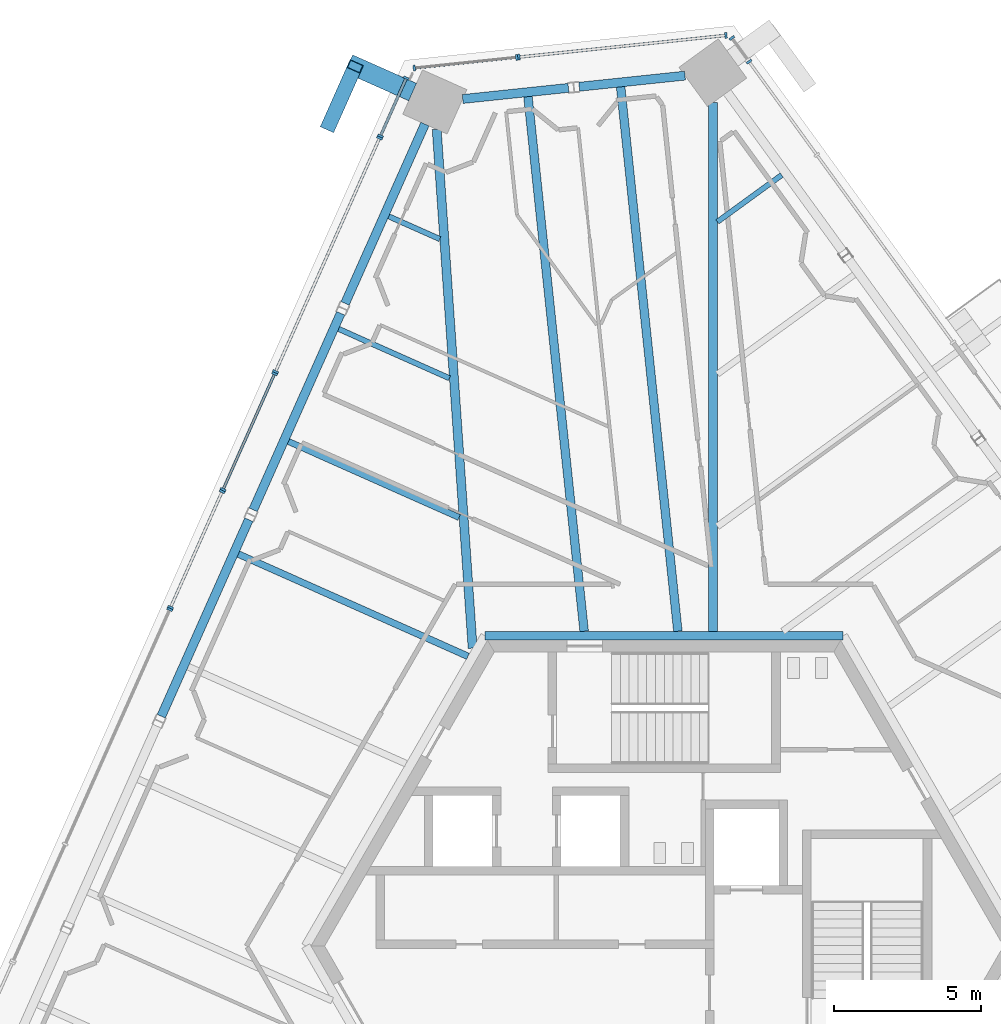
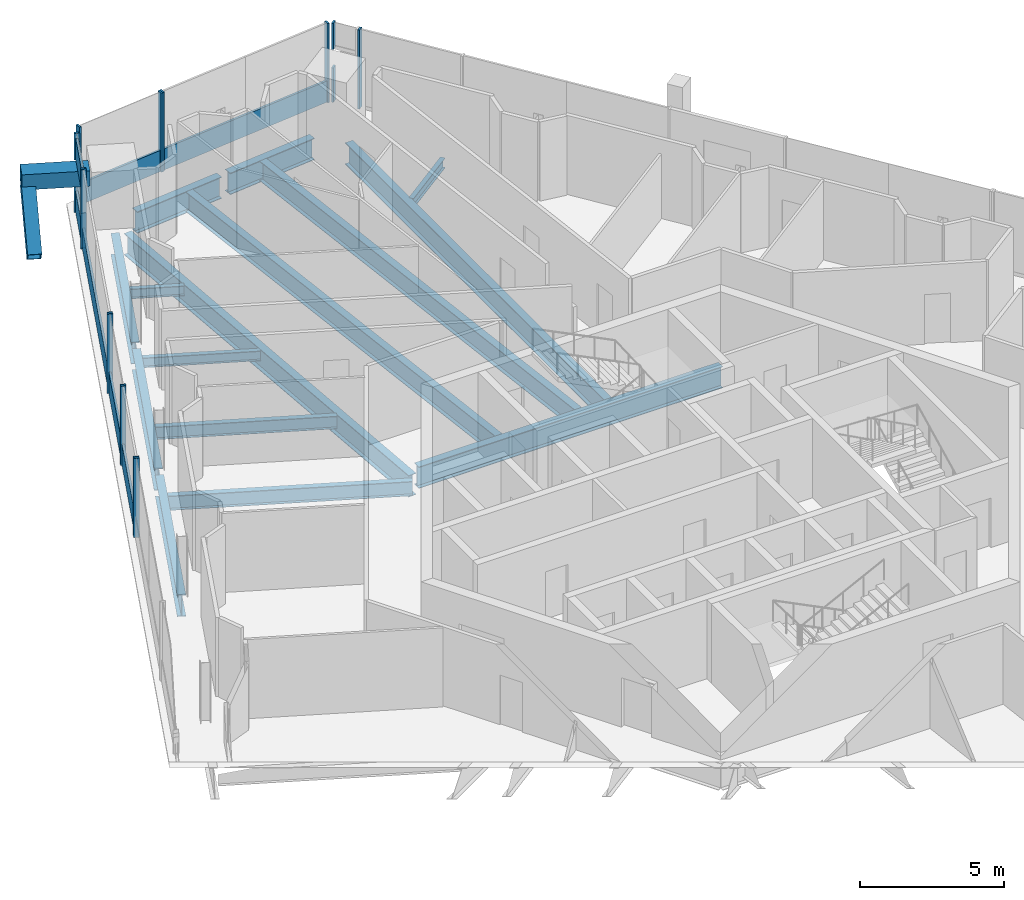
# One storey, part 9 of 26: 27 members, 15 beams, 11 elements without a shape of their own.
"""IFC4 building model written with IfcOpenShell, lengths in metres."""

import ifcopenshell
import ifcopenshell.guid

model = None  # the IFC model being written
_history = None  # IfcOwnerHistory: only IFC2X3 demands one
_inside = {}  # id of a spatial element -> (the spatial element, [elements in it])
_under = {}  # id of a project, library or spatial element -> (it, [spatial elements below it])
_declared = {}  # id of a project -> (the project, [libraries it declares])
_typed = {}  # id of a type object -> (the type object, [elements of that type])
_made_of = {}  # id of a material, layer set ... -> (it, [elements and type objects made of it])


def new_model(schema):
    """Start an empty IFC model of exactly this schema.

    Asked for "IFC4X3", IfcOpenShell would pick the latest addendum, in which some entities
    have other attributes; the version numbers below select the first issue.
    IFC2X3 requires an IfcOwnerHistory on every rooted entity: one is made here for all.
    """
    global model, _history
    if schema == "IFC4X3":
        model = ifcopenshell.file(schema_version=(4, 3, 0, 0))
    else:
        model = ifcopenshell.file(schema=schema)
    _inside.clear()
    _under.clear()
    _declared.clear()
    _typed.clear()
    _made_of.clear()
    _history = None
    if model.schema == "IFC2X3":
        org = make("IfcOrganization", Name="unknown")
        user = make(
            "IfcPersonAndOrganization",
            ThePerson=make("IfcPerson", FamilyName="unknown"),
            TheOrganization=org,
        )
        app = make(
            "IfcApplication",
            ApplicationDeveloper=org,
            Version="unknown",
            ApplicationFullName="unknown",
            ApplicationIdentifier="unknown",
        )
        _history = make(
            "IfcOwnerHistory",
            OwningUser=user,
            OwningApplication=app,
            ChangeAction="ADDED",
            CreationDate=0,
        )
    return model


def make(cls, **values):
    """One entity of the class cls with the attributes given. An attribute that is None is left unset."""
    return model.create_entity(
        cls, **{name: value for name, value in values.items() if value is not None}
    )


def rooted(cls, **values):
    """An entity with a GlobalId (a new one), such as an element, a storey or a relation."""
    return make(cls, GlobalId=ifcopenshell.guid.new(), OwnerHistory=_history, **values)


def si_unit(unit_type, name, prefix=None):
    """IfcSIUnit, for example si_unit("LENGTHUNIT", "METRE", prefix="MILLI")."""
    return make("IfcSIUnit", UnitType=unit_type, Prefix=prefix, Name=name)


def assignment(units):
    """IfcUnitAssignment: the units of a project."""
    return None if units is None else make("IfcUnitAssignment", Units=units)


def point(xyz):
    """IfcCartesianPoint."""
    return None if xyz is None else make("IfcCartesianPoint", Coordinates=xyz)


def direction(xyz):
    """IfcDirection."""
    return None if xyz is None else make("IfcDirection", DirectionRatios=xyz)


def frame(location, z_axis=None, x_axis=None):
    """IfcAxis2Placement3D, a coordinate frame: its origin and axes. An axis left out is left unset."""
    return make(
        "IfcAxis2Placement3D",
        Location=point(location),
        Axis=direction(z_axis),
        RefDirection=direction(x_axis),
    )


def frame_2d(location, x_axis=None):
    """IfcAxis2Placement2D, a coordinate frame in the plane: its origin and x axis."""
    return make(
        "IfcAxis2Placement2D", Location=point(location), RefDirection=direction(x_axis)
    )


def origin():
    """The frame at (0, 0, 0) with its axes left unset."""
    return frame((0.0, 0.0, 0.0))


def origin_2d():
    """The frame at (0, 0) in the plane with its x axis left unset."""
    return frame_2d((0.0, 0.0))


def place(relative_to, where):
    """IfcLocalPlacement: puts the frame where relative to a parent placement (None: the world)."""
    return make(
        "IfcLocalPlacement", PlacementRelTo=relative_to, RelativePlacement=where
    )


def context(
    kind, dimensions, precision=None, world=None, true_north=None, identifier=None
):
    """IfcGeometricRepresentationContext, for example the 3D "Model" context."""
    return make(
        "IfcGeometricRepresentationContext",
        ContextIdentifier=identifier,
        ContextType=kind,
        CoordinateSpaceDimension=dimensions,
        Precision=precision,
        WorldCoordinateSystem=world,
        TrueNorth=true_north,
    )


def subcontext(parent, identifier, kind, view, scale=None):
    """IfcGeometricRepresentationSubContext, for example "Body" below "Model"."""
    return make(
        "IfcGeometricRepresentationSubContext",
        ContextIdentifier=identifier,
        ContextType=kind,
        ParentContext=parent,
        TargetScale=scale,
        TargetView=view,
    )


def project(units=None, contexts=None):
    """IfcProject with its units and contexts."""
    return rooted(
        "IfcProject",
        Name="project",
        RepresentationContexts=contexts,
        UnitsInContext=assignment(units),
    )


def spatial(cls, under=None, at=None, **own):
    """A site, building, storey or space (cls), placed at a placement, below another one or the project."""
    s = rooted(cls, ObjectPlacement=at, **own)
    if under is not None:
        _under.setdefault(under.id(), (under, []))[1].append(s)
    return s


def profile(cls, at=None, kind="AREA", **sizes):
    """A parametric profile (cls). Its sizes go by their IFC names, for example OverallWidth=200.0."""
    return make(cls, ProfileType=kind, Position=at, **sizes)


def rectangle(**sizes):
    """IfcRectangleProfileDef."""
    return profile("IfcRectangleProfileDef", **sizes)


def hollow_rectangle(**sizes):
    """IfcRectangleHollowProfileDef."""
    return profile("IfcRectangleHollowProfileDef", **sizes)


def i_section(**sizes):
    """IfcIShapeProfileDef."""
    return profile("IfcIShapeProfileDef", **sizes)


def extrude(swept, where, along, depth):
    """IfcExtrudedAreaSolid: the profile swept, set in the frame where, extruded along a direction by depth."""
    return make(
        "IfcExtrudedAreaSolid",
        SweptArea=swept,
        Position=where,
        ExtrudedDirection=direction(along),
        Depth=depth,
    )


def shape(context_of_items, identifier, shape_type, items):
    """IfcShapeRepresentation: the items that make up one representation, for example the "Body"."""
    return make(
        "IfcShapeRepresentation",
        ContextOfItems=context_of_items,
        RepresentationIdentifier=identifier,
        RepresentationType=shape_type,
        Items=items,
    )


def source(mapping_origin, context_of_items, identifier, shape_type, items):
    """IfcRepresentationMap: a shape defined once, which mapped items show again and again."""
    return make(
        "IfcRepresentationMap",
        MappingOrigin=mapping_origin,
        MappedRepresentation=shape(context_of_items, identifier, shape_type, items),
    )


def transform(
    local_origin,
    x_axis=None,
    y_axis=None,
    z_axis=None,
    scale=None,
    scale2=None,
    scale3=None,
    uniform=True,
):
    """IfcCartesianTransformationOperator3D, or its non-uniform kind. x_axis, y_axis, z_axis: its Axis1, 2, 3."""
    if uniform:
        return make(
            "IfcCartesianTransformationOperator3D",
            Axis1=direction(x_axis),
            Axis2=direction(y_axis),
            LocalOrigin=point(local_origin),
            Scale=scale,
            Axis3=direction(z_axis),
        )
    return make(
        "IfcCartesianTransformationOperator3DnonUniform",
        Axis1=direction(x_axis),
        Axis2=direction(y_axis),
        LocalOrigin=point(local_origin),
        Scale=scale,
        Axis3=direction(z_axis),
        Scale2=scale2,
        Scale3=scale3,
    )


def mapped(mapping_source, mapping_target):
    """IfcMappedItem: shows the shape of a source again, moved by a transform."""
    return make(
        "IfcMappedItem", MappingSource=mapping_source, MappingTarget=mapping_target
    )


def material(Name=None, Category=None):
    """IfcMaterial."""
    return make("IfcMaterial", Name=Name, Category=Category)


def material_profile(
    of_material, cross_section, Name=None, Category=None, Priority=None
):
    """IfcMaterialProfile: a cross section and its material."""
    return make(
        "IfcMaterialProfile",
        Name=Name,
        Material=of_material,
        Profile=cross_section,
        Priority=Priority,
        Category=Category,
    )


def profile_set(profiles, Name=None, composite=None):
    """IfcMaterialProfileSet."""
    return make(
        "IfcMaterialProfileSet",
        Name=Name,
        MaterialProfiles=profiles,
        CompositeProfile=composite,
    )


def made_of(thing, what):
    """Note that an element or type object is made of a material, layer set ...; save() writes the relation."""
    if what is not None:
        _made_of.setdefault(what.id(), (what, []))[1].append(thing)
    return thing


def type_object(cls, material=None, **own):
    """A type object (cls), such as IfcWallType, which elements share."""
    return made_of(rooted(cls, **own), material)


def element(
    cls,
    number,
    at=None,
    inside=None,
    cuts=None,
    type_object=None,
    material=None,
    context=None,
    identifier="Body",
    shape_type=None,
    held_by="IfcProductDefinitionShape",
    body=None,
    shapes=None,
    **own,
):
    """One element of the class cls, such as IfcWall. Its Tag is "e" and its number.

    at: its placement. inside: the storey or other place that contains it. cuts: it is an
    opening in that element (IfcRelVoidsElement). A single representation is given by context,
    identifier, shape_type and body (its items); several are given by shapes. held_by: the class
    of the entity that holds the representations. save() writes the other relations.
    """
    e = rooted(cls, Tag="e%d" % number, ObjectPlacement=at, **own)
    if body is not None:
        shapes = [shape(context, identifier, shape_type, body)]
    if shapes is not None:
        e.Representation = make(held_by, Representations=shapes)
    if inside is not None:
        _inside.setdefault(inside.id(), (inside, []))[1].append(e)
    if cuts is not None:
        rooted(
            "IfcRelVoidsElement", RelatingBuildingElement=cuts, RelatedOpeningElement=e
        )
    if type_object is not None:
        _typed.setdefault(type_object.id(), (type_object, []))[1].append(e)
    return made_of(e, material)


def aggregate(whole, parts):
    """IfcRelAggregates: a whole, such as a stair, and the parts it consists of."""
    return rooted("IfcRelAggregates", RelatingObject=whole, RelatedObjects=parts)


def save(model, path):
    """Write the relations noted so far, then the file.

    IfcRelAggregates (storeys below a building ...), IfcRelContainedInSpatialStructure (elements
    in a storey), IfcRelDefinesByType, IfcRelAssociatesMaterial and IfcRelDeclares: one each for
    every whole, place, type object, material and project.
    """
    for whole, parts in _under.values():
        aggregate(whole, parts)
    for where, things in _inside.values():
        rooted(
            "IfcRelContainedInSpatialStructure",
            RelatedElements=things,
            RelatingStructure=where,
        )
    for kind, things in _typed.values():
        rooted("IfcRelDefinesByType", RelatedObjects=things, RelatingType=kind)
    for what, things in _made_of.values():
        rooted("IfcRelAssociatesMaterial", RelatedObjects=things, RelatingMaterial=what)
    for by, libraries in _declared.values():
        rooted("IfcRelDeclares", RelatingContext=by, RelatedDefinitions=libraries)
    model.write(path)


model = new_model("IFC4")

# Units and contexts
model_context = context("Model", 3, precision=1e-05, world=origin(), true_north=direction((0.0, 1.0)))
body_context = subcontext(model_context, "Body", "Model", "MODEL_VIEW")
ifc_project = project(units=[si_unit("LENGTHUNIT", "METRE"), si_unit("AREAUNIT", "SQUARE_METRE"), si_unit("VOLUMEUNIT", "CUBIC_METRE"), si_unit("PLANEANGLEUNIT", "RADIAN"), si_unit("MASSUNIT", "GRAM", prefix="KILO")], contexts=[model_context])

# Site, building, storey
site_placement = place(None, origin())
site = spatial("IfcSite", under=ifc_project, at=site_placement, CompositionType="ELEMENT")
building_placement = place(site_placement, origin())
building = spatial("IfcBuilding", under=site, at=building_placement, Name="Triune Harvest Tower", CompositionType="ELEMENT")
storey_placement = place(building_placement, frame((0.0, 0.0, 252.10009765625)))
storey = spatial("IfcBuildingStorey", under=building, at=storey_placement, Name="L66", CompositionType="ELEMENT", Elevation=252.10009765625)

# Curtain wall, member
ifc_material_1 = material(Name="Aluminium bronze anodised", Category="aluminium")
curtain_wall_type_1 = type_object("IfcCurtainWallType", Name="CW-7 Tower stick curtain wall with insulated spandrel infill", PredefinedType="NOTDEFINED", material=ifc_material_1)
curtain_wall_1_placement = place(storey_placement, origin())
curtain_wall_1 = element("IfcCurtainWall", 1, at=curtain_wall_1_placement, inside=storey, type_object=curtain_wall_type_1, Name="CW-7 B6-F3 L66 run 201")
ifc_material_2 = material(Name="Aluminium bronze anodised", Category="aluminium")
ifc_material_profile_1 = material_profile(ifc_material_2, rectangle(XDim=0.090087890625, YDim=0.89990234375, at=origin_2d()), Name="TR-1 transom 90 x 900")
ifc_profile_set_1 = profile_set([ifc_material_profile_1], Name="Aluminium bronze anodised")
member_type_1 = type_object("IfcMemberType", Name="TR-1 transom 90 x 900", PredefinedType="USERDEFINED", material=ifc_profile_set_1)
member_1_placement = place(storey_placement, frame((-9.68505859375, 27.427490234375, 0.449951171875), z_axis=(-0.406724455545, -0.913550883783, 0.0), x_axis=(0.913550883783, -0.406724455545, 0.0)))
member_1 = element("IfcMember", 2, at=member_1_placement, type_object=member_type_1, Name="CW-7 transom B6-F3 201.1", ObjectType="TRANSOM", PredefinedType="USERDEFINED", context=body_context, shape_type="SweptSolid", body=[
    extrude(rectangle(XDim=0.090087890625, YDim=0.89990234375, at=origin_2d()), origin(), (0.0, 0.0, 1.0), 8.619140625),
])

ifc_material_3 = material(Name="Aluminium bronze anodised", Category="aluminium")
curtain_wall_type_2 = type_object("IfcCurtainWallType", Name="CW-1 Tower stick curtain wall", PredefinedType="NOTDEFINED", material=ifc_material_3)
curtain_wall_2_placement = place(storey_placement, origin())
curtain_wall_2 = element("IfcCurtainWall", 3, at=curtain_wall_2_placement, inside=storey, type_object=curtain_wall_type_2, Name="CW-1 B6-F3 L66 run 1201")
member_2_placement = place(storey_placement, frame((-13.251708984375, 19.41650390625, 0.449951171875), z_axis=(-0.40675355508, -0.913537927746, 0.0), x_axis=(0.913537927746, -0.40675355508, 0.0)))
member_2 = element("IfcMember", 4, at=member_2_placement, type_object=member_type_1, Name="CW-1 transom B6-F3 1201.1", ObjectType="TRANSOM", PredefinedType="USERDEFINED", context=body_context, shape_type="SweptSolid", body=[
    extrude(rectangle(XDim=0.090087890625, YDim=0.89990234375, at=origin_2d()), origin(), (0.0, 0.0, 1.0), 4.234619140625),
])

curtain_wall_3_placement = place(storey_placement, origin())
curtain_wall_3 = element("IfcCurtainWall", 5, at=curtain_wall_3_placement, inside=storey, type_object=curtain_wall_type_1, Name="CW-7 B6-F3 L66 run 2201")
member_3_placement = place(storey_placement, frame((-15.03515625, 15.410888671875, 0.449951171875), z_axis=(-0.406774979688, -0.913528388119, 0.0), x_axis=(0.913528388119, -0.406774979688, 0.0)))
member_3 = element("IfcMember", 6, at=member_3_placement, type_object=member_type_1, Name="CW-7 transom B6-F3 2201.1", ObjectType="TRANSOM", PredefinedType="USERDEFINED", context=body_context, shape_type="SweptSolid", body=[
    extrude(rectangle(XDim=0.090087890625, YDim=0.89990234375, at=origin_2d()), origin(), (0.0, 0.0, 1.0), 4.234375),
])

# Beams
ifc_material_4 = material(Name="Steel ASTM A992 Gr 50", Category="steel")
ifc_material_profile_2 = material_profile(ifc_material_4, i_section(OverallWidth=0.3046875, OverallDepth=0.914306640625, WebThickness=0.0166015625, FlangeThickness=0.02587890625, at=origin_2d()), Name="W36x160")
ifc_profile_set_2 = profile_set([ifc_material_profile_2], Name="Steel ASTM A992 Gr 50")
beam_type_1 = type_object("IfcBeamType", Name="CG-1 Core ring girder W36x160", PredefinedType="BEAM", material=ifc_profile_set_2)
shared_shape_1 = source(origin(), body_context, "Body", "SweptSolid", [
    extrude(i_section(OverallWidth=0.3046875, OverallDepth=0.914306640625, WebThickness=0.0166015625, FlangeThickness=0.02587890625, at=origin_2d()), origin(), (0.0, 0.0, 1.0), 12.17578125),
])
beam_1_placement = place(storey_placement, frame((6.087890625, 10.544677734375, -0.6171875), z_axis=(-1.0, 0.0, 0.0), x_axis=(0.0, -1.0, 0.0)))
element("IfcBeam", 7, at=beam_1_placement, inside=storey, type_object=beam_type_1, Name="beam/L66/CG2", PredefinedType="BEAM", context=body_context, shape_type="MappedRepresentation", body=[
    mapped(shared_shape_1, transform((0.0, 0.0, 0.0), scale=1.0)),
])
ifc_material_5 = material(Name="Steel ASTM A992 Gr 50", Category="steel")
ifc_material_profile_3 = material_profile(ifc_material_5, i_section(OverallWidth=0.3046875, OverallDepth=0.914306640625, WebThickness=0.0166015625, FlangeThickness=0.02587890625, at=origin_2d()), Name="W36x160")
ifc_profile_set_3 = profile_set([ifc_material_profile_3], Name="Steel ASTM A992 Gr 50")
beam_type_2 = type_object("IfcBeamType", Name="SB-1 Spandrel beam W36x160", PredefinedType="SPANDREL", material=ifc_profile_set_3)
shared_shape_2 = source(origin(), body_context, "Body", "SweptSolid", [
    extrude(i_section(OverallWidth=0.3046875, OverallDepth=0.914306640625, WebThickness=0.0166015625, FlangeThickness=0.02587890625, at=origin_2d()), origin(), (0.0, 0.0, 1.0), 7.31103515625),
])
beam_2_placement = place(storey_placement, frame((-14.114990234375, 14.489013671875, -0.6171875), z_axis=(-0.406761135511, -0.913534552514, 0.0), x_axis=(0.913534552514, -0.406761135511, 0.0)))
element("IfcBeam", 8, at=beam_2_placement, inside=storey, type_object=beam_type_2, Name="beam/L66/SB11", PredefinedType="SPANDREL", context=body_context, shape_type="MappedRepresentation", body=[
    mapped(shared_shape_2, transform((0.0, 0.0, 0.0), scale=1.0)),
])
shared_shape_3 = source(origin(), body_context, "Body", "SweptSolid", [
    extrude(i_section(OverallWidth=0.3046875, OverallDepth=0.914306640625, WebThickness=0.0166015625, FlangeThickness=0.02587890625, at=origin_2d()), origin(), (0.0, 0.0, 1.0), 3.614990234375),
])
for number, where, z_axis, x_axis, name in (
    (9, (0.710693359375, 29.58203125, -0.6171875), (-0.994520245169, -0.104544162673, 0.0), (0.104544162673, -0.994520245169, 0.0), "beam/L66/SB7"),
    (10, (-3.25048828125, 29.165771484375, -0.6171875), (-0.994520245169, -0.104544162673, 0.0), (0.104544162673, -0.994520245169, 0.0), "beam/L66/SB8"),
):
    element("IfcBeam", number, at=place(storey_placement, frame(where, z_axis=z_axis, x_axis=x_axis)), inside=storey, type_object=beam_type_2, Name=name, PredefinedType="SPANDREL", context=body_context, shape_type="MappedRepresentation", body=[
        mapped(shared_shape_3, transform((0.0, 0.0, 0.0), scale=1.0)),
    ])
shared_shape_4 = source(origin(), body_context, "Body", "SweptSolid", [
    extrude(i_section(OverallWidth=0.3046875, OverallDepth=0.914306640625, WebThickness=0.0166015625, FlangeThickness=0.02587890625, at=origin_2d()), origin(), (0.0, 0.0, 1.0), 6.670166015625),
])
beam_3_placement = place(storey_placement, frame((-8.128662109375, 27.9345703125, -0.6171875), z_axis=(-0.406753053854, -0.913538150917, 0.0), x_axis=(0.913538150917, -0.406753053854, 0.0)))
element("IfcBeam", 11, at=beam_3_placement, inside=storey, type_object=beam_type_2, Name="beam/L66/SB9", PredefinedType="SPANDREL", context=body_context, shape_type="MappedRepresentation", body=[
    mapped(shared_shape_4, transform((0.0, 0.0, 0.0), scale=1.0)),
])
shared_shape_5 = source(origin(), body_context, "Body", "SweptSolid", [
    extrude(i_section(OverallWidth=0.3046875, OverallDepth=0.914306640625, WebThickness=0.0166015625, FlangeThickness=0.02587890625, at=origin_2d()), origin(), (0.0, 0.0, 1.0), 7.311279296875),
])
beam_4_placement = place(storey_placement, frame((-10.991455078125, 21.504638671875, -0.6171875), z_axis=(-0.406720859208, -0.91355248491, 0.0), x_axis=(0.91355248491, -0.406720859208, 0.0)))
element("IfcBeam", 12, at=beam_4_placement, inside=storey, type_object=beam_type_2, Name="beam/L66/SB10", PredefinedType="SPANDREL", context=body_context, shape_type="MappedRepresentation", body=[
    mapped(shared_shape_5, transform((0.0, 0.0, 0.0), scale=1.0)),
])
ifc_material_6 = material(Name="Steel ASTM A992 Gr 50", Category="steel")
ifc_material_profile_4 = material_profile(ifc_material_6, i_section(OverallWidth=0.3046875, OverallDepth=0.914306640625, WebThickness=0.0166015625, FlangeThickness=0.02587890625, at=origin_2d()), Name="W36x160")
ifc_profile_set_4 = profile_set([ifc_material_profile_4], Name="Steel ASTM A992 Gr 50")
beam_type_3 = type_object("IfcBeamType", Name="HG-3 Hip girder W36x160", PredefinedType="BEAM", material=ifc_profile_set_4)
shared_shape_6 = source(origin(), body_context, "Body", "SweptSolid", [
    extrude(i_section(OverallWidth=0.3046875, OverallDepth=0.914306640625, WebThickness=0.0166015625, FlangeThickness=0.02587890625, at=origin_2d()), origin(), (0.0, 0.0, 1.0), 17.96484375),
])
beam_5_placement = place(storey_placement, frame((1.658203125, 28.661865234375, -0.6171875), z_axis=(0.0, -1.0, 0.0), x_axis=(1.0, 0.0, 0.0)))
element("IfcBeam", 13, at=beam_5_placement, inside=storey, type_object=beam_type_3, Name="beam/L66/HG3", PredefinedType="BEAM", context=body_context, shape_type="MappedRepresentation", body=[
    mapped(shared_shape_6, transform((0.0, 0.0, 0.0), scale=1.0)),
])
shared_shape_7 = source(origin(), body_context, "Body", "SweptSolid", [
    extrude(i_section(OverallWidth=0.3046875, OverallDepth=0.914306640625, WebThickness=0.0166015625, FlangeThickness=0.02587890625, at=origin_2d()), origin(), (0.0, 0.0, 1.0), 17.6748046875),
])
beam_6_placement = place(storey_placement, frame((-7.728515625, 27.756591796875, -0.6171875), z_axis=(0.069119702871, -0.997608373399, 0.0), x_axis=(0.997608373399, 0.069119702871, 0.0)))
element("IfcBeam", 14, at=beam_6_placement, inside=storey, type_object=beam_type_3, Name="beam/L66/HG4", PredefinedType="BEAM", context=body_context, shape_type="MappedRepresentation", body=[
    mapped(shared_shape_7, transform((0.0, 0.0, 0.0), scale=1.0)),
])
ifc_material_7 = material(Name="Steel ASTM A992 Gr 50", Category="steel")
ifc_material_profile_5 = material_profile(ifc_material_7, i_section(OverallWidth=0.2099609375, OverallDepth=0.535888671875, WebThickness=0.010986328125, FlangeThickness=0.017333984375, at=origin_2d()), Name="W21x68")
ifc_profile_set_5 = profile_set([ifc_material_profile_5], Name="Steel ASTM A992 Gr 50")
beam_type_4 = type_object("IfcBeamType", Name="JT-2 Floor joist W21x68", PredefinedType="JOIST", material=ifc_profile_set_5)
shared_shape_8 = source(origin(), body_context, "Body", "SweptSolid", [
    extrude(i_section(OverallWidth=0.2099609375, OverallDepth=0.535888671875, WebThickness=0.010986328125, FlangeThickness=0.017333984375, at=origin_2d()), origin(), (0.0, 0.0, 1.0), 6.346435546875),
])
beam_7_placement = place(storey_placement, frame((-12.76513671875, 17.146484375, -0.427978515625), z_axis=(0.913549614508, -0.406727306476, 0.0), x_axis=(0.406727306476, 0.913549614508, 0.0)))
element("IfcBeam", 15, at=beam_7_placement, inside=storey, type_object=beam_type_4, Name="beam/L66/JT15", PredefinedType="JOIST", context=body_context, shape_type="MappedRepresentation", body=[
    mapped(shared_shape_8, transform((0.0, 0.0, 0.0), scale=1.0)),
])
ifc_material_8 = material(Name="Steel ASTM A992 Gr 50", Category="steel")
ifc_material_profile_6 = material_profile(ifc_material_8, i_section(OverallWidth=0.180908203125, OverallDepth=0.41650390625, WebThickness=0.010986328125, FlangeThickness=0.01806640625, at=origin_2d()), Name="W16x57")
ifc_profile_set_6 = profile_set([ifc_material_profile_6], Name="Steel ASTM A992 Gr 50")
beam_type_5 = type_object("IfcBeamType", Name="JT-1 Floor joist W16x57", PredefinedType="JOIST", material=ifc_profile_set_6)
shared_shape_9 = source(origin(), body_context, "Body", "SweptSolid", [
    extrude(i_section(OverallWidth=0.180908203125, OverallDepth=0.41650390625, WebThickness=0.010986328125, FlangeThickness=0.01806640625, at=origin_2d()), origin(), (0.0, 0.0, 1.0), 2.70263671875),
])
beam_8_placement = place(storey_placement, frame((3.9970703125, 26.203369140625, -0.368408203125), z_axis=(-0.809013338029, -0.587790284788, 0.0), x_axis=(0.587790284788, -0.809013338029, 0.0)))
element("IfcBeam", 16, at=beam_8_placement, inside=storey, type_object=beam_type_5, Name="beam/L66/JT10", PredefinedType="JOIST", context=body_context, shape_type="MappedRepresentation", body=[
    mapped(shared_shape_9, transform((0.0, 0.0, 0.0), scale=1.0)),
])
ifc_material_9 = material(Name="Steel ASTM A992 Gr 50", Category="steel")
ifc_material_profile_7 = material_profile(ifc_material_9, i_section(OverallWidth=0.2919921875, OverallDepth=0.8408203125, WebThickness=0.0146484375, FlangeThickness=0.021728515625, at=origin_2d()), Name="W33x130")
ifc_profile_set_7 = profile_set([ifc_material_profile_7], Name="Steel ASTM A992 Gr 50")
beam_type_6 = type_object("IfcBeamType", Name="JT-6 Floor joist W33x130", PredefinedType="JOIST", material=ifc_profile_set_7)
shared_shape_10 = source(origin(), body_context, "Body", "SweptSolid", [
    extrude(i_section(OverallWidth=0.2919921875, OverallDepth=0.8408203125, WebThickness=0.0146484375, FlangeThickness=0.021728515625, at=origin_2d()), origin(), (0.0, 0.0, 1.0), 18.60400390625),
])
beam_9_placement = place(storey_placement, frame((-1.476318359375, 29.198974609375, -0.58056640625), z_axis=(0.104538595675, -0.994520830357, 0.0), x_axis=(0.994520830357, 0.104538595675, 0.0)))
element("IfcBeam", 17, at=beam_9_placement, inside=storey, type_object=beam_type_6, Name="beam/L66/JT11", PredefinedType="JOIST", context=body_context, shape_type="MappedRepresentation", body=[
    mapped(shared_shape_10, transform((0.0, 0.0, 0.0), scale=1.0)),
])
shared_shape_11 = source(origin(), body_context, "Body", "SweptSolid", [
    extrude(i_section(OverallWidth=0.2919921875, OverallDepth=0.8408203125, WebThickness=0.0146484375, FlangeThickness=0.021728515625, at=origin_2d()), origin(), (0.0, 0.0, 1.0), 18.27099609375),
])
beam_10_placement = place(storey_placement, frame((-4.626708984375, 28.867919921875, -0.58056640625), z_axis=(0.104532454263, -0.99452147589, 0.0), x_axis=(0.99452147589, 0.104532454263, 0.0)))
element("IfcBeam", 18, at=beam_10_placement, inside=storey, type_object=beam_type_6, Name="beam/L66/JT12", PredefinedType="JOIST", context=body_context, shape_type="MappedRepresentation", body=[
    mapped(shared_shape_11, transform((0.0, 0.0, 0.0), scale=1.0)),
])
shared_shape_12 = source(origin(), body_context, "Body", "SweptSolid", [
    extrude(i_section(OverallWidth=0.180908203125, OverallDepth=0.41650390625, WebThickness=0.010986328125, FlangeThickness=0.01806640625, at=origin_2d()), origin(), (0.0, 0.0, 1.0), 1.899169921875),
])
beam_11_placement = place(storey_placement, frame((-9.357666015625, 24.7998046875, -0.368408203125), z_axis=(0.913535666592, -0.406758633422, 0.0), x_axis=(0.406758633422, 0.913535666592, 0.0)))
element("IfcBeam", 19, at=beam_11_placement, inside=storey, type_object=beam_type_5, Name="beam/L66/JT13", PredefinedType="JOIST", context=body_context, shape_type="MappedRepresentation", body=[
    mapped(shared_shape_12, transform((0.0, 0.0, 0.0), scale=1.0)),
])
shared_shape_13 = source(origin(), body_context, "Body", "SweptSolid", [
    extrude(i_section(OverallWidth=0.180908203125, OverallDepth=0.41650390625, WebThickness=0.010986328125, FlangeThickness=0.01806640625, at=origin_2d()), origin(), (0.0, 0.0, 1.0), 4.12255859375),
])
beam_12_placement = place(storey_placement, frame((-11.061279296875, 20.972900390625, -0.368408203125), z_axis=(0.913547607509, -0.406731814363, 0.0), x_axis=(0.406731814363, 0.913547607509, 0.0)))
element("IfcBeam", 20, at=beam_12_placement, inside=storey, type_object=beam_type_5, Name="beam/L66/JT14", PredefinedType="JOIST", context=body_context, shape_type="MappedRepresentation", body=[
    mapped(shared_shape_13, transform((0.0, 0.0, 0.0), scale=1.0)),
])
ifc_material_10 = material(Name="Steel ASTM A992 Gr 50", Category="steel")
ifc_material_profile_8 = material_profile(ifc_material_10, i_section(OverallWidth=0.22900390625, OverallDepth=0.612060546875, WebThickness=0.011962890625, FlangeThickness=0.01953125, at=origin_2d()), Name="W24x84")
ifc_profile_set_8 = profile_set([ifc_material_profile_8], Name="Steel ASTM A992 Gr 50")
beam_type_7 = type_object("IfcBeamType", Name="JT-3 Floor joist W24x84", PredefinedType="JOIST", material=ifc_profile_set_8)
shared_shape_14 = source(origin(), body_context, "Body", "SweptSolid", [
    extrude(i_section(OverallWidth=0.22900390625, OverallDepth=0.612060546875, WebThickness=0.011962890625, FlangeThickness=0.01953125, at=origin_2d()), origin(), (0.0, 0.0, 1.0), 8.539794921875),
])
beam_13_placement = place(storey_placement, frame((-14.46875, 13.319580078125, -0.46630859375), z_axis=(0.913548460016, -0.406729899567, 0.0), x_axis=(0.406729899567, 0.913548460016, 0.0)))
element("IfcBeam", 21, at=beam_13_placement, inside=storey, type_object=beam_type_7, Name="beam/L66/JT16", PredefinedType="JOIST", context=body_context, shape_type="MappedRepresentation", body=[
    mapped(shared_shape_14, transform((0.0, 0.0, 0.0), scale=1.0)),
])

# Members
ifc_material_11 = material(Name="Steel ASTM A572 Gr 50", Category="steel")
ifc_material_profile_9 = material_profile(ifc_material_11, hollow_rectangle(XDim=0.5, YDim=0.5, WallThickness=0.030029296875, at=origin_2d()), Name="Box 500x500x30")
ifc_profile_set_9 = profile_set([ifc_material_profile_9], Name="Steel ASTM A572 Gr 50")
member_type_2 = type_object("IfcMemberType", Name="BR-3 Brace Box 500x500x30", PredefinedType="BRACE", material=ifc_profile_set_9)
shared_shape_15 = source(origin(), body_context, "Body", "SweptSolid", [
    extrude(hollow_rectangle(XDim=0.5, YDim=0.5, WallThickness=0.030029296875, at=origin_2d()), origin(), (0.0, 0.0, 1.0), 2.718994140625),
])
member_4_placement = place(storey_placement, frame((-11.400390625, 27.876953125, 0.0), z_axis=(0.330331016447, 0.7420101984, 0.583354339183), x_axis=(-0.913560649269, 0.406702520409, 0.0)))
element("IfcMember", 22, at=member_4_placement, inside=storey, type_object=member_type_2, Name="brace/B6-F3/d2/10", PredefinedType="BRACE", context=body_context, shape_type="MappedRepresentation", body=[
    mapped(shared_shape_15, transform((0.0, 0.0, 0.0), scale=1.0)),
])
ifc_material_12 = material(Name="Steel ASTM A572 Gr 50", Category="steel")
ifc_material_profile_10 = material_profile(ifc_material_12, hollow_rectangle(XDim=0.64990234375, YDim=0.64990234375, WallThickness=0.070068359375, at=origin_2d()), Name="Box 650x650x70")
ifc_profile_set_10 = profile_set([ifc_material_profile_10], Name="Steel ASTM A572 Gr 50")
member_type_3 = type_object("IfcMemberType", Name="BS-1 Brace stub Box 650x650x70", PredefinedType="STRUT", material=ifc_profile_set_10)
shared_shape_16 = source(origin(), body_context, "Body", "SweptSolid", [
    extrude(hollow_rectangle(XDim=0.64990234375, YDim=0.64990234375, WallThickness=0.070068359375, at=origin_2d()), origin(), (0.0, 0.0, 1.0), 2.375244140625),
])
member_5_placement = place(storey_placement, frame((-8.546875, 29.02392578125, 1.849853515625), z_axis=(-0.913552811566, 0.406720125491, 0.0), x_axis=(-0.406720125491, -0.913552811566, 0.0)))
element("IfcMember", 23, at=member_5_placement, inside=storey, type_object=member_type_3, Name="brace/B6-F3/stub4", PredefinedType="STRUT", context=body_context, shape_type="MappedRepresentation", body=[
    mapped(shared_shape_16, transform((0.0, 0.0, 0.0), scale=1.0)),
])

# Curtain wall, member
ifc_material_13 = material(Name="Aluminium bronze anodised", Category="aluminium")
curtain_wall_type_3 = type_object("IfcCurtainWallType", Name="CW-6 Balcony window wall", PredefinedType="NOTDEFINED", material=ifc_material_13)
curtain_wall_4_placement = place(storey_placement, origin())
curtain_wall_4 = element("IfcCurtainWall", 24, at=curtain_wall_4_placement, inside=storey, type_object=curtain_wall_type_3, Name="CW-6 B6-F1 L66 run 202")
ifc_material_14 = material(Name="Aluminium bronze anodised", Category="aluminium")
ifc_material_profile_11 = material_profile(ifc_material_14, rectangle(XDim=0.199951171875, YDim=0.074951171875, at=origin_2d()), Name="MU-6 mullion 75 x 200")
ifc_profile_set_11 = profile_set([ifc_material_profile_11], Name="Aluminium bronze anodised")
member_type_4 = type_object("IfcMemberType", Name="MU-6 mullion 75 x 200", PredefinedType="MULLION", material=ifc_profile_set_11)
shared_shape_17 = source(origin(), body_context, "Body", "SweptSolid", [
    extrude(rectangle(XDim=0.199951171875, YDim=0.074951171875, at=origin_2d()), origin(), (0.0, 0.0, 1.0), 1.114990234375),
])
member_6_placement = place(storey_placement, frame((2.303955078125, 30.86083984375, 2.23486328125), z_axis=(0.0, 0.0, 1.0), x_axis=(-0.809009310946, -0.58779582748, 0.0)))
member_6 = element("IfcMember", 25, at=member_6_placement, type_object=member_type_4, Name="CW-6 mullion B6-F1 202.2", PredefinedType="MULLION", context=body_context, shape_type="MappedRepresentation", body=[
    mapped(shared_shape_17, transform((0.0, 0.0, 0.0), scale=1.0)),
])
aggregate(curtain_wall_4, [member_6])

# Curtain wall, members
curtain_wall_5_placement = place(storey_placement, origin())
curtain_wall_5 = element("IfcCurtainWall", 26, at=curtain_wall_5_placement, inside=storey, type_object=curtain_wall_type_2, Name="CW-1 B6-F3 L66 run 101")
ifc_material_15 = material(Name="Aluminium bronze anodised", Category="aluminium")
ifc_material_profile_12 = material_profile(ifc_material_15, rectangle(XDim=0.199951171875, YDim=0.074951171875, at=origin_2d()), Name="MU-1 mullion 75 x 200")
ifc_profile_set_12 = profile_set([ifc_material_profile_12], Name="Aluminium bronze anodised")
member_type_5 = type_object("IfcMemberType", Name="MU-1 mullion 75 x 200", PredefinedType="MULLION", material=ifc_profile_set_12)
shared_shape_18 = source(origin(), body_context, "Body", "SweptSolid", [
    extrude(rectangle(XDim=0.199951171875, YDim=0.074951171875, at=origin_2d()), origin(), (0.0, 0.0, 1.0), 1.114990234375),
])
member_7_placement = place(storey_placement, frame((-8.76220703125, 29.500244140625, 2.23486328125), z_axis=(0.0, 0.0, 1.0), x_axis=(0.913535999341, -0.406757886105, 0.0)))
member_7 = element("IfcMember", 27, at=member_7_placement, type_object=member_type_5, Name="CW-1 mullion B6-F3 101.1", PredefinedType="MULLION", context=body_context, shape_type="MappedRepresentation", body=[
    mapped(shared_shape_18, transform((0.0, 0.0, 0.0), scale=1.0)),
])
member_8_placement = place(storey_placement, frame((-9.639404296875, 27.5302734375, 2.23486328125), z_axis=(0.0, 0.0, 1.0), x_axis=(0.913535999341, -0.406757886105, 0.0)))
member_8 = element("IfcMember", 28, at=member_8_placement, type_object=member_type_5, Name="CW-1 mullion B6-F3 101.2", PredefinedType="MULLION", context=body_context, shape_type="MappedRepresentation", body=[
    mapped(shared_shape_18, transform((0.0, 0.0, 0.0), scale=1.0)),
])

curtain_wall_6_placement = place(storey_placement, origin())
curtain_wall_6 = element("IfcCurtainWall", 29, at=curtain_wall_6_placement, inside=storey, type_object=curtain_wall_type_1, Name="CW-7 B6-F3 L66 run 1")
shared_shape_19 = source(origin(), body_context, "Body", "SweptSolid", [
    extrude(rectangle(XDim=0.199951171875, YDim=0.074951171875, at=origin_2d()), origin(), (0.0, 0.0, 1.0), 1.46484375),
])
member_9_placement = place(storey_placement, frame((-8.76220703125, 29.500244140625, 0.0), z_axis=(0.0, 0.0, 1.0), x_axis=(0.913535999341, -0.406757886105, 0.0)))
member_9 = element("IfcMember", 30, at=member_9_placement, type_object=member_type_5, Name="CW-7 mullion B6-F3 1.1", PredefinedType="MULLION", context=body_context, shape_type="MappedRepresentation", body=[
    mapped(shared_shape_19, transform((0.0, 0.0, 0.0), scale=1.0)),
])
member_10_placement = place(storey_placement, frame((-9.639404296875, 27.5302734375, 0.0), z_axis=(0.0, 0.0, 1.0), x_axis=(0.913535999341, -0.406757886105, 0.0)))
member_10 = element("IfcMember", 31, at=member_10_placement, type_object=member_type_5, Name="CW-7 mullion B6-F3 1.2", PredefinedType="MULLION", context=body_context, shape_type="MappedRepresentation", body=[
    mapped(shared_shape_19, transform((0.0, 0.0, 0.0), scale=1.0)),
])

curtain_wall_7_placement = place(storey_placement, origin())
curtain_wall_7 = element("IfcCurtainWall", 32, at=curtain_wall_7_placement, inside=storey, type_object=curtain_wall_type_1, Name="CW-7 B6-F2 L66 run 1")
shared_shape_20 = source(origin(), body_context, "Body", "SweptSolid", [
    extrude(rectangle(XDim=0.199951171875, YDim=0.074951171875, at=origin_2d()), origin(), (0.0, 0.0, 1.0), 3.349853515625),
])
member_11_placement = place(storey_placement, frame((2.102294921875, 30.95068359375, 0.0), z_axis=(0.0, 0.0, 1.0), x_axis=(0.104525867131, -0.99452216823, 0.0)))
member_11 = element("IfcMember", 33, at=member_11_placement, type_object=member_type_5, Name="CW-7 mullion B6-F2 1.1", PredefinedType="MULLION", context=body_context, shape_type="MappedRepresentation", body=[
    mapped(shared_shape_20, transform((0.0, 0.0, 0.0), scale=1.0)),
])
member_12_placement = place(storey_placement, frame((-4.935302734375, 30.2109375, 0.0), z_axis=(0.0, 0.0, 1.0), x_axis=(0.104525867131, -0.99452216823, 0.0)))
member_12 = element("IfcMember", 34, at=member_12_placement, type_object=member_type_5, Name="CW-7 mullion B6-F2 1.3", PredefinedType="MULLION", context=body_context, shape_type="MappedRepresentation", body=[
    mapped(shared_shape_20, transform((0.0, 0.0, 0.0), scale=1.0)),
])

curtain_wall_8_placement = place(storey_placement, origin())
curtain_wall_8 = element("IfcCurtainWall", 35, at=curtain_wall_8_placement, inside=storey, type_object=curtain_wall_type_2, Name="CW-1 B6-F2 L66 run 1001")
member_13_placement = place(storey_placement, frame((-5.009765625, 30.203125, 0.0), z_axis=(0.0, 0.0, 1.0), x_axis=(0.104537284351, -0.994520968196, 0.0)))
member_13 = element("IfcMember", 36, at=member_13_placement, type_object=member_type_5, Name="CW-1 mullion B6-F2 1001.1", PredefinedType="MULLION", context=body_context, shape_type="MappedRepresentation", body=[
    mapped(shared_shape_20, transform((0.0, 0.0, 0.0), scale=1.0)),
])
member_14_placement = place(storey_placement, frame((-8.4912109375, 29.837158203125, 0.0), z_axis=(0.0, 0.0, 1.0), x_axis=(0.104537284351, -0.994520968196, 0.0)))
member_14 = element("IfcMember", 37, at=member_14_placement, type_object=member_type_5, Name="CW-1 mullion B6-F2 1001.2", PredefinedType="MULLION", context=body_context, shape_type="MappedRepresentation", body=[
    mapped(shared_shape_20, transform((0.0, 0.0, 0.0), scale=1.0)),
])

# Member
member_15_placement = place(storey_placement, frame((-9.669921875, 27.461669921875, 0.0), z_axis=(0.0, 0.0, 1.0), x_axis=(0.913544715054, -0.406738310953, 0.0)))
member_15 = element("IfcMember", 38, at=member_15_placement, type_object=member_type_5, Name="CW-7 mullion B6-F3 201.1", PredefinedType="MULLION", context=body_context, shape_type="MappedRepresentation", body=[
    mapped(shared_shape_20, transform((0.0, 0.0, 0.0), scale=1.0)),
])

member_16_placement = place(storey_placement, frame((-13.2060546875, 19.519287109375, 0.0), z_axis=(0.0, 0.0, 1.0), x_axis=(0.913544715054, -0.406738310953, 0.0)))
member_16 = element("IfcMember", 39, at=member_16_placement, type_object=member_type_5, Name="CW-7 mullion B6-F3 201.3", PredefinedType="MULLION", context=body_context, shape_type="MappedRepresentation", body=[
    mapped(shared_shape_20, transform((0.0, 0.0, 0.0), scale=1.0)),
])

aggregate(curtain_wall_1, [member_15, member_16, member_1])

member_17_placement = place(storey_placement, frame((-13.236572265625, 19.45068359375, 0.0), z_axis=(0.0, 0.0, 1.0), x_axis=(0.91354236433, -0.406743590698, 0.0)))
member_17 = element("IfcMember", 40, at=member_17_placement, type_object=member_type_5, Name="CW-1 mullion B6-F3 1201.1", PredefinedType="MULLION", context=body_context, shape_type="MappedRepresentation", body=[
    mapped(shared_shape_20, transform((0.0, 0.0, 0.0), scale=1.0)),
])

member_18_placement = place(storey_placement, frame((-14.989501953125, 15.513671875, 0.0), z_axis=(0.0, 0.0, 1.0), x_axis=(0.91354236433, -0.406743590698, 0.0)))
member_18 = element("IfcMember", 41, at=member_18_placement, type_object=member_type_5, Name="CW-1 mullion B6-F3 1201.2", PredefinedType="MULLION", context=body_context, shape_type="MappedRepresentation", body=[
    mapped(shared_shape_20, transform((0.0, 0.0, 0.0), scale=1.0)),
])

aggregate(curtain_wall_2, [member_17, member_18, member_2])

member_19_placement = place(storey_placement, frame((-15.02001953125, 15.4453125, 0.0), z_axis=(0.0, 0.0, 1.0), x_axis=(0.913547065819, -0.406733031034, 0.0)))
member_19 = element("IfcMember", 42, at=member_19_placement, type_object=member_type_5, Name="CW-7 mullion B6-F3 2201.1", PredefinedType="MULLION", context=body_context, shape_type="MappedRepresentation", body=[
    mapped(shared_shape_20, transform((0.0, 0.0, 0.0), scale=1.0)),
])

member_20_placement = place(storey_placement, frame((-16.772705078125, 11.50830078125, 0.0), z_axis=(0.0, 0.0, 1.0), x_axis=(0.913547065819, -0.406733031034, 0.0)))
member_20 = element("IfcMember", 43, at=member_20_placement, type_object=member_type_5, Name="CW-7 mullion B6-F3 2201.2", PredefinedType="MULLION", context=body_context, shape_type="MappedRepresentation", body=[
    mapped(shared_shape_20, transform((0.0, 0.0, 0.0), scale=1.0)),
])

aggregate(curtain_wall_3, [member_19, member_20, member_3])

# Curtain wall, member
curtain_wall_9_placement = place(storey_placement, origin())
curtain_wall_9 = element("IfcCurtainWall", 44, at=curtain_wall_9_placement, inside=storey, type_object=curtain_wall_type_2, Name="CW-1 B6-F3 L66 run 3201")
member_21_placement = place(storey_placement, frame((-16.80322265625, 11.43994140625, 0.0), z_axis=(0.0, 0.0, 1.0), x_axis=(0.913546756352, -0.406733726114, 0.0)))
member_21 = element("IfcMember", 45, at=member_21_placement, type_object=member_type_5, Name="CW-1 mullion B6-F3 3201.1", PredefinedType="MULLION", context=body_context, shape_type="MappedRepresentation", body=[
    mapped(shared_shape_20, transform((0.0, 0.0, 0.0), scale=1.0)),
])
aggregate(curtain_wall_9, [member_21])

ifc_material_16 = material(Name="Aluminium bronze anodised", Category="aluminium")
curtain_wall_type_4 = type_object("IfcCurtainWallType", Name="CW-10 Balcony window wall with insulated spandrel infill", PredefinedType="NOTDEFINED", material=ifc_material_16)
curtain_wall_10_placement = place(storey_placement, origin())
curtain_wall_10 = element("IfcCurtainWall", 46, at=curtain_wall_10_placement, inside=storey, type_object=curtain_wall_type_4, Name="CW-10 B6-F1 L66 run 102")
shared_shape_21 = source(origin(), body_context, "Body", "SweptSolid", [
    extrude(rectangle(XDim=0.199951171875, YDim=0.074951171875, at=origin_2d()), origin(), (0.0, 0.0, 1.0), 1.46484375),
])
member_22_placement = place(storey_placement, frame((2.303955078125, 30.86083984375, 0.0), z_axis=(0.0, 0.0, 1.0), x_axis=(-0.809009310946, -0.58779582748, 0.0)))
member_22 = element("IfcMember", 47, at=member_22_placement, type_object=member_type_4, Name="CW-10 mullion B6-F1 102.2", PredefinedType="MULLION", context=body_context, shape_type="MappedRepresentation", body=[
    mapped(shared_shape_21, transform((0.0, 0.0, 0.0), scale=1.0)),
])
aggregate(curtain_wall_10, [member_22])

curtain_wall_11_placement = place(storey_placement, origin())
curtain_wall_11 = element("IfcCurtainWall", 48, at=curtain_wall_11_placement, inside=storey, type_object=curtain_wall_type_4, Name="CW-10 B6-F1 L66 run 2")
shared_shape_22 = source(origin(), body_context, "Body", "SweptSolid", [
    extrude(rectangle(XDim=0.199951171875, YDim=0.074951171875, at=origin_2d()), origin(), (0.0, 0.0, 1.0), 3.349853515625),
])
member_23_placement = place(storey_placement, frame((2.889892578125, 30.054443359375, 0.0), z_axis=(0.0, 0.0, 1.0), x_axis=(-0.809019238725, -0.587782163197, 0.0)))
member_23 = element("IfcMember", 49, at=member_23_placement, type_object=member_type_4, Name="CW-10 mullion B6-F1 2.4", PredefinedType="MULLION", context=body_context, shape_type="MappedRepresentation", body=[
    mapped(shared_shape_22, transform((0.0, 0.0, 0.0), scale=1.0)),
])
aggregate(curtain_wall_11, [member_23])

# Member
shared_shape_23 = source(origin(), body_context, "Body", "SweptSolid", [
    extrude(rectangle(XDim=0.090087890625, YDim=0.89990234375, at=origin_2d()), origin(), (0.0, 0.0, 1.0), 2.08154296875),
])
member_24_placement = place(storey_placement, frame((-8.77734375, 29.466064453125, 0.449951171875), z_axis=(-0.406747779186, -0.913540499446, 0.0), x_axis=(0.913540499446, -0.406747779186, 0.0)))
member_24 = element("IfcMember", 50, at=member_24_placement, type_object=member_type_1, Name="CW-7 transom B6-F3 1.1", ObjectType="TRANSOM", PredefinedType="USERDEFINED", context=body_context, shape_type="MappedRepresentation", body=[
    mapped(shared_shape_23, transform((0.0, 0.0, 0.0), scale=1.0)),
])

aggregate(curtain_wall_6, [member_9, member_10, member_24])

member_25_placement = place(storey_placement, frame((-8.77734375, 29.466064453125, 2.684814453125), z_axis=(-0.406747779186, -0.913540499446, 0.0), x_axis=(0.913540499446, -0.406747779186, 0.0)))
member_25 = element("IfcMember", 51, at=member_25_placement, type_object=member_type_1, Name="CW-1 transom B6-F3 101.1", ObjectType="TRANSOM", PredefinedType="USERDEFINED", context=body_context, shape_type="MappedRepresentation", body=[
    mapped(shared_shape_23, transform((0.0, 0.0, 0.0), scale=1.0)),
])

aggregate(curtain_wall_5, [member_7, member_8, member_25])

shared_shape_24 = source(origin(), body_context, "Body", "SweptSolid", [
    extrude(rectangle(XDim=0.090087890625, YDim=0.89990234375, at=origin_2d()), origin(), (0.0, 0.0, 1.0), 7.001220703125),
])
member_26_placement = place(storey_placement, frame((2.06494140625, 30.946533203125, 0.449951171875), z_axis=(-0.994523971567, -0.104508707671, 0.0), x_axis=(0.104508707671, -0.994523971567, 0.0)))
member_26 = element("IfcMember", 52, at=member_26_placement, type_object=member_type_1, Name="CW-7 transom B6-F2 1.1", ObjectType="TRANSOM", PredefinedType="USERDEFINED", context=body_context, shape_type="MappedRepresentation", body=[
    mapped(shared_shape_24, transform((0.0, 0.0, 0.0), scale=1.0)),
])

aggregate(curtain_wall_7, [member_11, member_12, member_26])

shared_shape_25 = source(origin(), body_context, "Body", "SweptSolid", [
    extrude(rectangle(XDim=0.090087890625, YDim=0.89990234375, at=origin_2d()), origin(), (0.0, 0.0, 1.0), 3.42578125),
])
member_27_placement = place(storey_placement, frame((-5.047119140625, 30.19921875, 0.449951171875), z_axis=(-0.99451989194, -0.104547522857, 0.0), x_axis=(0.104547522857, -0.99451989194, 0.0)))
member_27 = element("IfcMember", 53, at=member_27_placement, type_object=member_type_1, Name="CW-1 transom B6-F2 1001.1", ObjectType="TRANSOM", PredefinedType="USERDEFINED", context=body_context, shape_type="MappedRepresentation", body=[
    mapped(shared_shape_25, transform((0.0, 0.0, 0.0), scale=1.0)),
])

aggregate(curtain_wall_8, [member_13, member_14, member_27])

save(model, "model.ifc")
